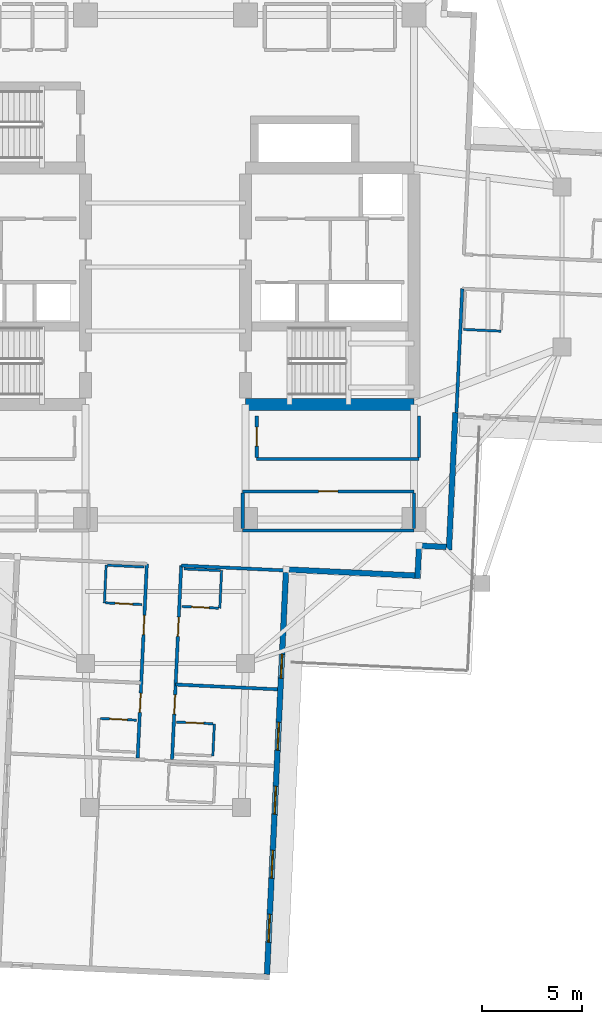
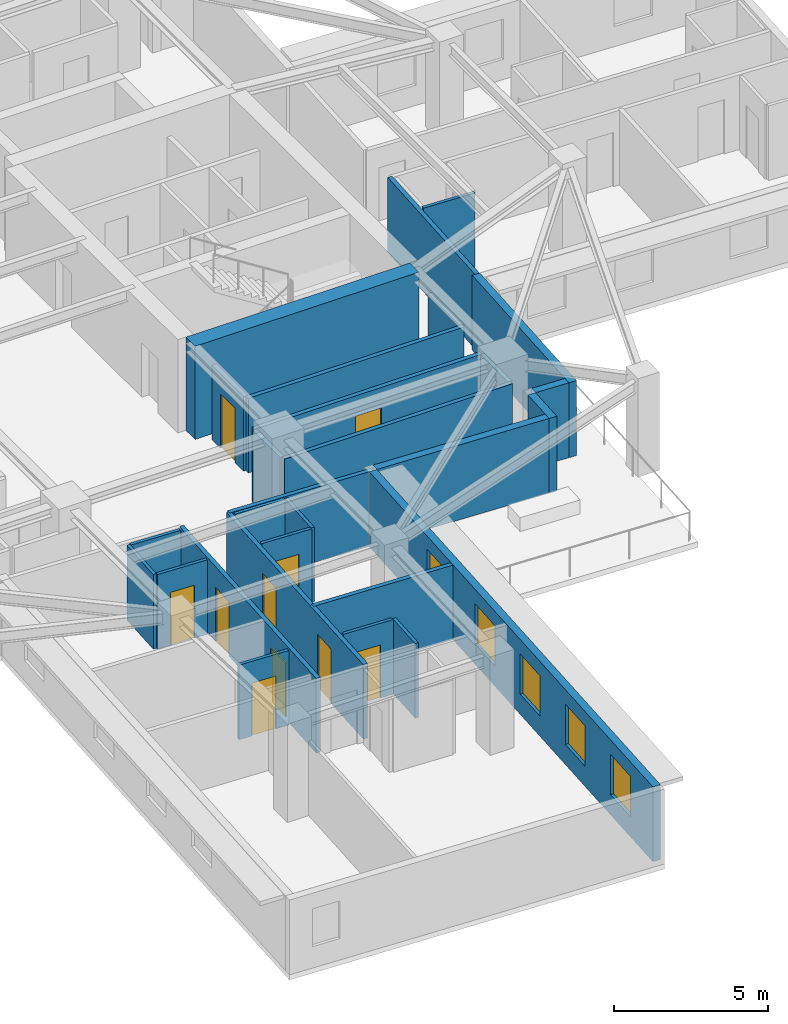
# One storey, part 4 of 14: 28 walls, 10 doors, 5 windows, 15 openings.
"""IFC4 building model written with IfcOpenShell, lengths in metres."""

from ifc_helpers import new_model, si_unit, direction, frame, frame_2d, origin, place, context, subcontext, project, spatial, rectangle, extrude, material, layer, layer_set, type_object, element, fill, save


model = new_model("IFC4")

# Units and contexts
model_context = context("Model", 3, precision=1e-05, world=origin(), true_north=direction((0.0, 1.0)))
body_context = subcontext(model_context, "Body", "Model", "MODEL_VIEW")
ifc_project = project(units=[si_unit("LENGTHUNIT", "METRE"), si_unit("AREAUNIT", "SQUARE_METRE"), si_unit("VOLUMEUNIT", "CUBIC_METRE"), si_unit("PLANEANGLEUNIT", "RADIAN"), si_unit("MASSUNIT", "GRAM", prefix="KILO")], contexts=[model_context])

# Site, building, storey
site_placement = place(None, origin())
site = spatial("IfcSite", under=ifc_project, at=site_placement, CompositionType="ELEMENT")
building_placement = place(site_placement, origin())
building = spatial("IfcBuilding", under=site, at=building_placement, Name="Qingluan Cross Belvedere", CompositionType="ELEMENT")
storey_placement = place(building_placement, frame((0.0, 0.0, 172.199951171875)))
storey = spatial("IfcBuildingStorey", under=building, at=storey_placement, Name="L43", CompositionType="ELEMENT", Elevation=172.199951171875)

# Walls
ifc_material_1 = material(Name="Concrete C60", Category="concrete")
ifc_layer_1 = layer(ifc_material_1, 0.60009765625, Name="CoreShearWall_600")
ifc_layer_set_1 = layer_set([ifc_layer_1], Name="Concrete C60")
wall_type_1 = type_object("IfcWallType", Name="CoreShearWall_600", PredefinedType="SHEAR", material=ifc_layer_set_1)
wall_1_placement = place(storey_placement, frame((4.0, -6.85009765625, 0.0), z_axis=(0.0, 0.0, 1.0), x_axis=(1.0, 0.0, 0.0)))
element("IfcWall", 1, at=wall_1_placement, inside=storey, type_object=wall_type_1, Name="Split core E shear wall L43-S", PredefinedType="SHEAR", context=body_context, shape_type="SweptSolid", body=[
    extrude(rectangle(XDim=8.39990234375, YDim=0.60009765625, at=frame_2d((4.199951171875, 0.0))), origin(), (0.0, 0.0, 1.0), 3.699951171875),
])
ifc_material_2 = material(Name="Gypsum plasterboard on steel stud acoustic partition", Category="steel")
ifc_layer_2 = layer(ifc_material_2, 0.159912109375, Name="CorridorPartition_160")
ifc_layer_set_2 = layer_set([ifc_layer_2], Name="Gypsum plasterboard on steel stud acoustic partition")
wall_type_2 = type_object("IfcWallType", Name="CorridorPartition_160", PredefinedType="PARTITIONING", material=ifc_layer_set_2)
wall_2_placement = place(storey_placement, frame((3.85009765625, -13.14990234375, 0.0), z_axis=(0.0, 0.0, 1.0), x_axis=(1.0, 0.0, 0.0)))
element("IfcWall", 2, at=wall_2_placement, inside=storey, type_object=wall_type_2, Name="Partition L43:q_se:S", PredefinedType="PARTITIONING", context=body_context, shape_type="SweptSolid", body=[
    extrude(rectangle(XDim=8.5498046875, YDim=0.159912109375, at=frame_2d((4.27490234375, 0.0))), origin(), (0.0, 0.0, 1.0), 2.9599609375),
])

# Wall, opening, door
wall_3_placement = place(storey_placement, frame((3.85009765625, -11.199951171875, 0.0), z_axis=(0.0, 0.0, 1.0), x_axis=(1.0, 0.0, 0.0)))
wall_3 = element("IfcWall", 3, at=wall_3_placement, inside=storey, type_object=wall_type_2, Name="Partition L43:q_se:N", PredefinedType="PARTITIONING", context=body_context, shape_type="SweptSolid", body=[
    extrude(rectangle(XDim=8.5498046875, YDim=0.159912109375, at=frame_2d((4.27490234375, 0.0))), origin(), (0.0, 0.0, 1.0), 2.9599609375),
])
opening_1_placement = place(wall_3_placement, frame((3.794921875, 0.0, 0.0)))
opening_1 = element("IfcOpeningElement", 4, at=opening_1_placement, cuts=wall_3, Name="Opening GD-10", PredefinedType="OPENING", context=body_context, shape_type="SweptSolid", body=[
    extrude(rectangle(XDim=0.9599609375, YDim=2.14990234375, at=frame_2d((0.47998046875, 1.074951171875))), frame((0.0, 0.08984375, 0.0), z_axis=(0.0, -1.0, 0.0), x_axis=(1.0, 0.0, 0.0)), (0.0, 0.0, 1.0), 0.179931640625),
])
ifc_material_3 = material(Name="Timber oak fire-rated acoustic guestroom door", Category="wood")
door_type_1 = type_object("IfcDoorType", Name="GuestEntryDoor_FD60", OperationType="NOTDEFINED", PredefinedType="DOOR", material=ifc_material_3)
door_1_placement = place(opening_1_placement, origin())
door_1 = element("IfcDoor", 5, at=door_1_placement, inside=storey, type_object=door_type_1, Name="Green tea pantry L43 door", OperationType="SINGLE_SWING_LEFT", OverallHeight=2.14990234375, OverallWidth=0.9599609375, PredefinedType="DOOR", context=body_context, shape_type="SweptSolid", body=[
    extrude(rectangle(XDim=0.9599609375, YDim=2.14990234375, at=frame_2d((0.47998046875, 1.074951171875))), frame((0.0, 0.02490234375, 0.0), z_axis=(0.0, -1.0, 0.0), x_axis=(1.0, 0.0, 0.0)), (0.0, 0.0, 1.0), 0.050048828125),
])
fill(opening_1, door_1)

# Walls
for number, where, z_axis, x_axis, name in (
    (6, (3.85009765625, -13.06494140625, 0.0), (0.0, 0.0, 1.0), (0.0, 1.0, 0.0), "Partition L43:q_se:W"),
    (7, (12.39990234375, -13.06494140625, 0.0), (0.0, 0.0, 1.0), (0.0, 1.0, 0.0), "Partition L43:q_se:E"),
):
    element("IfcWall", number, at=place(storey_placement, frame(where, z_axis=z_axis, x_axis=x_axis)), inside=storey, type_object=wall_type_2, Name=name, PredefinedType="PARTITIONING", context=body_context, shape_type="SweptSolid", body=[
        extrude(rectangle(XDim=1.780029296875, YDim=0.159912109375, at=frame_2d((0.89013671875, 0.0))), origin(), (0.0, 0.0, 1.0), 2.9599609375),
    ])
wall_4_placement = place(storey_placement, frame((4.550048828125, -9.580078125, 0.0), z_axis=(0.0, 0.0, 1.0), x_axis=(1.0, 0.0, 0.0)))
element("IfcWall", 8, at=wall_4_placement, inside=storey, type_object=wall_type_2, Name="Partition L43:rec_st4:S", PredefinedType="PARTITIONING", context=body_context, shape_type="SweptSolid", body=[
    extrude(rectangle(XDim=8.099853515625, YDim=0.159912109375, at=frame_2d((4.0498046875, 0.0))), origin(), (0.0, 0.0, 1.0), 2.9599609375),
])

# Wall, opening, door
wall_5_placement = place(storey_placement, frame((4.550048828125, -9.4951171875, 0.0), z_axis=(0.0, 0.0, 1.0), x_axis=(0.0, 1.0, 0.0)))
wall_5 = element("IfcWall", 9, at=wall_5_placement, inside=storey, type_object=wall_type_2, Name="Partition L43:rec_st4:W", PredefinedType="PARTITIONING", context=body_context, shape_type="SweptSolid", body=[
    extrude(rectangle(XDim=2.06005859375, YDim=0.159912109375, at=frame_2d((1.030029296875, 0.0))), origin(), (0.0, 0.0, 1.0), 2.9599609375),
])
opening_2_placement = place(wall_5_placement, frame((0.550048828125, 0.0, 0.0)))
opening_2 = element("IfcOpeningElement", 10, at=opening_2_placement, cuts=wall_5, Name="Opening GD-10", PredefinedType="OPENING", context=body_context, shape_type="SweptSolid", body=[
    extrude(rectangle(XDim=0.9599609375, YDim=2.14990234375, at=frame_2d((0.47998046875, 1.074951171875))), frame((0.0, 0.08984375, 0.0), z_axis=(0.0, -1.0, 0.0), x_axis=(1.0, 0.0, 0.0)), (0.0, 0.0, 1.0), 0.179931640625),
])
door_2_placement = place(opening_2_placement, origin())
door_2 = element("IfcDoor", 11, at=door_2_placement, inside=storey, type_object=door_type_1, Name="Southeast club library room L43 door", OperationType="SINGLE_SWING_RIGHT", OverallHeight=2.14990234375, OverallWidth=0.9599609375, PredefinedType="DOOR", context=body_context, shape_type="SweptSolid", body=[
    extrude(rectangle(XDim=0.9599609375, YDim=2.14990234375, at=frame_2d((0.47998046875, 1.074951171875))), frame((0.0, 0.02490234375, 0.0), z_axis=(0.0, -1.0, 0.0), x_axis=(1.0, 0.0, 0.0)), (0.0, 0.0, 1.0), 0.050048828125),
])
fill(opening_2, door_2)

# Walls
wall_6_placement = place(storey_placement, frame((12.64990234375, -9.4951171875, 0.0), z_axis=(0.0, 0.0, 1.0), x_axis=(0.0, 1.0, 0.0)))
element("IfcWall", 12, at=wall_6_placement, inside=storey, type_object=wall_type_2, Name="Partition L43:rec_st4:E", PredefinedType="PARTITIONING", context=body_context, shape_type="SweptSolid", body=[
    extrude(rectangle(XDim=2.06005859375, YDim=0.159912109375, at=frame_2d((1.030029296875, 0.0))), origin(), (0.0, 0.0, 1.0), 2.9599609375),
])
wall_7_placement = place(storey_placement, frame((14.815673828125, -1.0791015625, 0.0), z_axis=(0.0, 0.0, 1.0), x_axis=(-0.047115566875, -0.998889445013, 0.0)))
element("IfcWall", 13, at=wall_7_placement, inside=storey, type_object=wall_type_2, Name="Partition L43:E:s1", PredefinedType="PARTITIONING", context=body_context, shape_type="SweptSolid", body=[
    extrude(rectangle(XDim=6.192138671875, YDim=0.159912109375, at=frame_2d((3.09619140625, 0.0))), origin(), (0.0, 0.0, 1.0), 2.9599609375),
])

# Wall, openings, doors
wall_8_placement = place(storey_placement, frame((0.77880859375, -14.9033203125, 0.0), z_axis=(0.0, 0.0, 1.0), x_axis=(-0.047091598416, -0.998890575268, 0.0)))
wall_8 = element("IfcWall", 14, at=wall_8_placement, inside=storey, type_object=wall_type_2, Name="Partition L43:S:c0", PredefinedType="PARTITIONING", context=body_context, shape_type="SweptSolid", body=[
    extrude(rectangle(XDim=9.699951171875, YDim=0.159912109375, at=frame_2d((4.85009765625, 0.0))), origin(), (0.0, 0.0, 1.0), 2.9599609375),
])
opening_3_placement = place(wall_8_placement, frame((2.574951171875, 0.0, 0.0)))
opening_3 = element("IfcOpeningElement", 15, at=opening_3_placement, cuts=wall_8, Name="Opening GD-10", PredefinedType="OPENING", context=body_context, shape_type="SweptSolid", body=[
    extrude(rectangle(XDim=0.9599609375, YDim=2.14990234375, at=frame_2d((0.47998046875, 1.074951171875))), frame((0.0, 0.08984375, 0.0), z_axis=(0.0, -1.0, 0.0), x_axis=(1.0, 0.0, 0.0)), (0.0, 0.0, 1.0), 0.179931640625),
])
opening_4_placement = place(wall_8_placement, frame((6.467041015625, 0.0, 0.0)))
opening_4 = element("IfcOpeningElement", 16, at=opening_4_placement, cuts=wall_8, Name="Opening GD-10", PredefinedType="OPENING", context=body_context, shape_type="SweptSolid", body=[
    extrude(rectangle(XDim=0.9599609375, YDim=2.14990234375, at=frame_2d((0.47998046875, 1.074951171875))), frame((0.0, 0.08984375, 0.0), z_axis=(0.0, -1.0, 0.0), x_axis=(1.0, 0.0, 0.0)), (0.0, 0.0, 1.0), 0.179931640625),
])
door_3_placement = place(opening_3_placement, origin())
door_3 = element("IfcDoor", 17, at=door_3_placement, inside=storey, type_object=door_type_1, Name="Guest entry fire door 4315", OperationType="SINGLE_SWING_RIGHT", OverallHeight=2.14990234375, OverallWidth=0.9599609375, PredefinedType="DOOR", context=body_context, shape_type="SweptSolid", body=[
    extrude(rectangle(XDim=0.9599609375, YDim=2.14990234375, at=frame_2d((0.47998046875, 1.074951171875))), frame((0.0, 0.02490234375, 0.0), z_axis=(0.0, -1.0, 0.0), x_axis=(1.0, 0.0, 0.0)), (0.0, 0.0, 1.0), 0.050048828125),
])
fill(opening_3, door_3)
door_4_placement = place(opening_4_placement, origin())
door_4 = element("IfcDoor", 18, at=door_4_placement, inside=storey, type_object=door_type_1, Name="Guest entry fire door 4316", OperationType="SINGLE_SWING_RIGHT", OverallHeight=2.14990234375, OverallWidth=0.9599609375, PredefinedType="DOOR", context=body_context, shape_type="SweptSolid", body=[
    extrude(rectangle(XDim=0.9599609375, YDim=2.14990234375, at=frame_2d((0.47998046875, 1.074951171875))), frame((0.0, 0.02490234375, 0.0), z_axis=(0.0, -1.0, 0.0), x_axis=(1.0, 0.0, 0.0)), (0.0, 0.0, 1.0), 0.050048828125),
])
fill(opening_4, door_4)

# Walls
wall_9_placement = place(storey_placement, frame((0.77880859375, -14.9033203125, 0.0), z_axis=(0.0, 0.0, 1.0), x_axis=(0.998889957338, -0.047104703898, 0.0)))
element("IfcWall", 19, at=wall_9_placement, inside=storey, type_object=wall_type_2, Name="Partition L43:S:s0", PredefinedType="PARTITIONING", context=body_context, shape_type="SweptSolid", body=[
    extrude(rectangle(XDim=5.239990234375, YDim=0.159912109375, at=frame_2d((2.6201171875, 0.0))), origin(), (0.0, 0.0, 1.0), 2.9599609375),
])
wall_10_placement = place(storey_placement, frame((0.49853515625, -20.8466796875, 0.0), z_axis=(0.0, 0.0, 1.0), x_axis=(0.998891017342, -0.047082220362, 0.0)))
element("IfcWall", 20, at=wall_10_placement, inside=storey, type_object=wall_type_2, Name="Partition L43:S:d0_0", PredefinedType="PARTITIONING", context=body_context, shape_type="SweptSolid", body=[
    extrude(rectangle(XDim=5.092041015625, YDim=0.159912109375, at=frame_2d((2.5458984375, 0.0))), origin(), (0.0, 0.0, 1.0), 2.9599609375),
])

# Wall, openings, doors
wall_11_placement = place(storey_placement, frame((-0.939208984375, -14.822265625, 0.0), z_axis=(0.0, 0.0, 1.0), x_axis=(-0.047116711769, -0.99888939101, 0.0)))
wall_11 = element("IfcWall", 21, at=wall_11_placement, inside=storey, type_object=wall_type_2, Name="Partition L43:S:c1", PredefinedType="PARTITIONING", context=body_context, shape_type="SweptSolid", body=[
    extrude(rectangle(XDim=9.699951171875, YDim=0.159912109375, at=frame_2d((4.85009765625, 0.0))), origin(), (0.0, 0.0, 1.0), 2.9599609375),
])
opening_5_placement = place(wall_11_placement, frame((2.574951171875, 0.0, 0.0)))
opening_5 = element("IfcOpeningElement", 22, at=opening_5_placement, cuts=wall_11, Name="Opening GD-10", PredefinedType="OPENING", context=body_context, shape_type="SweptSolid", body=[
    extrude(rectangle(XDim=0.9599609375, YDim=2.14990234375, at=frame_2d((0.47998046875, 1.074951171875))), frame((0.0, 0.08984375, 0.0), z_axis=(0.0, -1.0, 0.0), x_axis=(1.0, 0.0, 0.0)), (0.0, 0.0, 1.0), 0.179931640625),
])
opening_6_placement = place(wall_11_placement, frame((6.467041015625, 0.0, 0.0)))
opening_6 = element("IfcOpeningElement", 23, at=opening_6_placement, cuts=wall_11, Name="Opening GD-10", PredefinedType="OPENING", context=body_context, shape_type="SweptSolid", body=[
    extrude(rectangle(XDim=0.9599609375, YDim=2.14990234375, at=frame_2d((0.47998046875, 1.074951171875))), frame((0.0, 0.08984375, 0.0), z_axis=(0.0, -1.0, 0.0), x_axis=(1.0, 0.0, 0.0)), (0.0, 0.0, 1.0), 0.179931640625),
])
door_5_placement = place(opening_5_placement, origin())
door_5 = element("IfcDoor", 24, at=door_5_placement, inside=storey, type_object=door_type_1, Name="Guest entry fire door 4317", OperationType="SINGLE_SWING_RIGHT", OverallHeight=2.14990234375, OverallWidth=0.9599609375, PredefinedType="DOOR", context=body_context, shape_type="SweptSolid", body=[
    extrude(rectangle(XDim=0.9599609375, YDim=2.14990234375, at=frame_2d((0.47998046875, 1.074951171875))), frame((0.0, 0.02490234375, 0.0), z_axis=(0.0, -1.0, 0.0), x_axis=(1.0, 0.0, 0.0)), (0.0, 0.0, 1.0), 0.050048828125),
])
fill(opening_5, door_5)
door_6_placement = place(opening_6_placement, origin())
door_6 = element("IfcDoor", 25, at=door_6_placement, inside=storey, type_object=door_type_1, Name="Guest entry fire door 4318", OperationType="SINGLE_SWING_RIGHT", OverallHeight=2.14990234375, OverallWidth=0.9599609375, PredefinedType="DOOR", context=body_context, shape_type="SweptSolid", body=[
    extrude(rectangle(XDim=0.9599609375, YDim=2.14990234375, at=frame_2d((0.47998046875, 1.074951171875))), frame((0.0, 0.02490234375, 0.0), z_axis=(0.0, -1.0, 0.0), x_axis=(1.0, 0.0, 0.0)), (0.0, 0.0, 1.0), 0.050048828125),
])
fill(opening_6, door_6)

# Wall
ifc_material_4 = material(Name="Moisture-resistant gypsum board lining")
ifc_layer_3 = layer(ifc_material_4, 0.1201171875, Name="EnsuiteWetPartition_120")
ifc_layer_set_3 = layer_set([ifc_layer_3], Name="Moisture-resistant gypsum board lining")
wall_type_3 = type_object("IfcWallType", Name="EnsuiteWetPartition_120", PredefinedType="PARTITIONING", material=ifc_layer_set_3)
wall_12_placement = place(storey_placement, frame((14.8798828125, -3.109375, 0.0), z_axis=(0.0, 0.0, 1.0), x_axis=(0.998888607882, -0.047133311408, 0.0)))
element("IfcWall", 26, at=wall_12_placement, inside=storey, type_object=wall_type_3, Name="Partition L43:E:bc1_0", PredefinedType="PARTITIONING", context=body_context, shape_type="SweptSolid", body=[
    extrude(rectangle(XDim=1.88037109375, YDim=0.1201171875, at=frame_2d((0.940185546875, 0.0))), origin(), (0.0, 0.0, 1.0), 2.9599609375),
])

# Wall, opening, door
wall_13_placement = place(storey_placement, frame((0.822509765625, -16.947509765625, 0.0), z_axis=(0.0, 0.0, 1.0), x_axis=(0.998891083954, -0.047080807099, 0.0)))
wall_13 = element("IfcWall", 27, at=wall_13_placement, inside=storey, type_object=wall_type_3, Name="Partition L43:S:bs0_0", PredefinedType="PARTITIONING", context=body_context, shape_type="SweptSolid", body=[
    extrude(rectangle(XDim=1.820068359375, YDim=0.1201171875, at=frame_2d((0.91015625, 0.0))), origin(), (0.0, 0.0, 1.0), 2.9599609375),
])
opening_7_placement = place(wall_13_placement, frame((0.469970703125, 0.0, 0.0)))
opening_7 = element("IfcOpeningElement", 28, at=opening_7_placement, cuts=wall_13, Name="Opening BD-09", PredefinedType="OPENING", context=body_context, shape_type="SweptSolid", body=[
    extrude(rectangle(XDim=0.8798828125, YDim=2.10009765625, at=frame_2d((0.43994140625, 1.050048828125))), frame((0.0, 0.070068359375, 0.0), z_axis=(0.0, -1.0, 0.0), x_axis=(1.0, 0.0, 0.0)), (0.0, 0.0, 1.0), 0.14013671875),
])
ifc_material_5 = material(Name="Moisture-sealed timber en-suite door", Category="wood")
door_type_2 = type_object("IfcDoorType", Name="BathroomDoor_880", OperationType="NOTDEFINED", PredefinedType="DOOR", material=ifc_material_5)
door_7_placement = place(opening_7_placement, origin())
door_7 = element("IfcDoor", 29, at=door_7_placement, inside=storey, type_object=door_type_2, Name="Bathroom door 4315", OperationType="SINGLE_SWING_LEFT", OverallHeight=2.10009765625, OverallWidth=0.8798828125, PredefinedType="DOOR", context=body_context, shape_type="SweptSolid", body=[
    extrude(rectangle(XDim=0.8798828125, YDim=2.10009765625, at=frame_2d((0.43994140625, 1.050048828125))), frame((0.0, 0.02490234375, 0.0), z_axis=(0.0, -1.0, 0.0), x_axis=(1.0, 0.0, 0.0)), (0.0, 0.0, 1.0), 0.050048828125),
])
fill(opening_7, door_7)

# Walls
wall_14_placement = place(storey_placement, frame((0.9111328125, -15.069580078125, 0.0), z_axis=(0.0, 0.0, 1.0), x_axis=(0.998884467853, -0.047220968666, 0.0)))
element("IfcWall", 30, at=wall_14_placement, inside=storey, type_object=wall_type_3, Name="Partition L43:S:bw0_0", PredefinedType="PARTITIONING", context=body_context, shape_type="SweptSolid", body=[
    extrude(rectangle(XDim=1.81982421875, YDim=0.1201171875, at=frame_2d((0.909912109375, 0.0))), origin(), (0.0, 0.0, 1.0), 2.9599609375),
])
wall_15_placement = place(storey_placement, frame((2.7939453125, -15.158447265625, 0.0), z_axis=(0.0, 0.0, 1.0), x_axis=(-0.04700985207, -0.998894425757, 0.0)))
element("IfcWall", 31, at=wall_15_placement, inside=storey, type_object=wall_type_3, Name="Partition L43:S:bn0_0", PredefinedType="PARTITIONING", context=body_context, shape_type="SweptSolid", body=[
    extrude(rectangle(XDim=1.880126953125, YDim=0.1201171875, at=frame_2d((0.93994140625, 0.0))), origin(), (0.0, 0.0, 1.0), 2.9599609375),
])

# Wall, opening, door
wall_16_placement = place(storey_placement, frame((0.55029296875, -22.72119140625, 0.0), z_axis=(0.0, 0.0, 1.0), x_axis=(0.998891083954, -0.047080807099, 0.0)))
wall_16 = element("IfcWall", 32, at=wall_16_placement, inside=storey, type_object=wall_type_3, Name="Partition L43:S:bs0_1", PredefinedType="PARTITIONING", context=body_context, shape_type="SweptSolid", body=[
    extrude(rectangle(XDim=1.820068359375, YDim=0.1201171875, at=frame_2d((0.91015625, 0.0))), origin(), (0.0, 0.0, 1.0), 2.9599609375),
])
opening_8_placement = place(wall_16_placement, frame((0.469970703125, 0.0, 0.0)))
opening_8 = element("IfcOpeningElement", 33, at=opening_8_placement, cuts=wall_16, Name="Opening BD-09", PredefinedType="OPENING", context=body_context, shape_type="SweptSolid", body=[
    extrude(rectangle(XDim=0.8798828125, YDim=2.10009765625, at=frame_2d((0.43994140625, 1.050048828125))), frame((0.0, 0.070068359375, 0.0), z_axis=(0.0, -1.0, 0.0), x_axis=(1.0, 0.0, 0.0)), (0.0, 0.0, 1.0), 0.14013671875),
])
door_8_placement = place(opening_8_placement, origin())
door_8 = element("IfcDoor", 34, at=door_8_placement, inside=storey, type_object=door_type_2, Name="Bathroom door 4316", OperationType="SINGLE_SWING_LEFT", OverallHeight=2.10009765625, OverallWidth=0.8798828125, PredefinedType="DOOR", context=body_context, shape_type="SweptSolid", body=[
    extrude(rectangle(XDim=0.8798828125, YDim=2.10009765625, at=frame_2d((0.43994140625, 1.050048828125))), frame((0.0, 0.02490234375, 0.0), z_axis=(0.0, -1.0, 0.0), x_axis=(1.0, 0.0, 0.0)), (0.0, 0.0, 1.0), 0.050048828125),
])
fill(opening_8, door_8)

# Wall
wall_17_placement = place(storey_placement, frame((2.43310546875, -22.809814453125, 0.0), z_axis=(0.0, 0.0, 1.0), x_axis=(-0.046992475174, -0.998895243395, 0.0)))
element("IfcWall", 35, at=wall_17_placement, inside=storey, type_object=wall_type_3, Name="Partition L43:S:bn0_1", PredefinedType="PARTITIONING", context=body_context, shape_type="SweptSolid", body=[
    extrude(rectangle(XDim=1.60009765625, YDim=0.1201171875, at=frame_2d((0.800048828125, 0.0))), origin(), (0.0, 0.0, 1.0), 2.9599609375),
])

# Wall, opening, door
wall_18_placement = place(storey_placement, frame((-2.9931640625, -16.767578125, 0.0), z_axis=(0.0, 0.0, 1.0), x_axis=(0.998890786574, -0.047087116047, 0.0)))
wall_18 = element("IfcWall", 36, at=wall_18_placement, inside=storey, type_object=wall_type_3, Name="Partition L43:S:bs1_0", PredefinedType="PARTITIONING", context=body_context, shape_type="SweptSolid", body=[
    extrude(rectangle(XDim=1.81982421875, YDim=0.1201171875, at=frame_2d((0.909912109375, 0.0))), origin(), (0.0, 0.0, 1.0), 2.9599609375),
])
opening_9_placement = place(wall_18_placement, frame((0.469970703125, 0.0, 0.0)))
opening_9 = element("IfcOpeningElement", 37, at=opening_9_placement, cuts=wall_18, Name="Opening BD-09", PredefinedType="OPENING", context=body_context, shape_type="SweptSolid", body=[
    extrude(rectangle(XDim=0.8798828125, YDim=2.10009765625, at=frame_2d((0.43994140625, 1.050048828125))), frame((0.0, 0.070068359375, 0.0), z_axis=(0.0, -1.0, 0.0), x_axis=(1.0, 0.0, 0.0)), (0.0, 0.0, 1.0), 0.14013671875),
])
door_9_placement = place(opening_9_placement, origin())
door_9 = element("IfcDoor", 38, at=door_9_placement, inside=storey, type_object=door_type_2, Name="Bathroom door 4317", OperationType="SINGLE_SWING_LEFT", OverallHeight=2.10009765625, OverallWidth=0.8798828125, PredefinedType="DOOR", context=body_context, shape_type="SweptSolid", body=[
    extrude(rectangle(XDim=0.8798828125, YDim=2.10009765625, at=frame_2d((0.43994140625, 1.050048828125))), frame((0.0, 0.02490234375, 0.0), z_axis=(0.0, -1.0, 0.0), x_axis=(1.0, 0.0, 0.0)), (0.0, 0.0, 1.0), 0.050048828125),
])
fill(opening_9, door_9)

# Walls
wall_19_placement = place(storey_placement, frame((-2.904541015625, -14.8896484375, 0.0), z_axis=(0.0, 0.0, 1.0), x_axis=(0.998890786574, -0.047087116047, 0.0)))
element("IfcWall", 39, at=wall_19_placement, inside=storey, type_object=wall_type_3, Name="Partition L43:S:bw1_0", PredefinedType="PARTITIONING", context=body_context, shape_type="SweptSolid", body=[
    extrude(rectangle(XDim=1.81982421875, YDim=0.1201171875, at=frame_2d((0.909912109375, 0.0))), origin(), (0.0, 0.0, 1.0), 2.9599609375),
])
wall_20_placement = place(storey_placement, frame((-2.969482421875, -14.88671875, 0.0), z_axis=(0.0, 0.0, 1.0), x_axis=(-0.047139425368, -0.998888319371, 0.0)))
element("IfcWall", 40, at=wall_20_placement, inside=storey, type_object=wall_type_3, Name="Partition L43:S:bc1_0", PredefinedType="PARTITIONING", context=body_context, shape_type="SweptSolid", body=[
    extrude(rectangle(XDim=1.880126953125, YDim=0.1201171875, at=frame_2d((0.93994140625, 0.0))), origin(), (0.0, 0.0, 1.0), 2.9599609375),
])

# Wall, opening, door
wall_21_placement = place(storey_placement, frame((-3.265380859375, -22.541259765625, 0.0), z_axis=(0.0, 0.0, 1.0), x_axis=(0.998890786574, -0.047087116047, 0.0)))
wall_21 = element("IfcWall", 41, at=wall_21_placement, inside=storey, type_object=wall_type_3, Name="Partition L43:S:bs1_1", PredefinedType="PARTITIONING", context=body_context, shape_type="SweptSolid", body=[
    extrude(rectangle(XDim=1.81982421875, YDim=0.1201171875, at=frame_2d((0.909912109375, 0.0))), origin(), (0.0, 0.0, 1.0), 2.9599609375),
])
opening_10_placement = place(wall_21_placement, frame((0.469970703125, 0.0, 0.0)))
opening_10 = element("IfcOpeningElement", 42, at=opening_10_placement, cuts=wall_21, Name="Opening BD-09", PredefinedType="OPENING", context=body_context, shape_type="SweptSolid", body=[
    extrude(rectangle(XDim=0.8798828125, YDim=2.10009765625, at=frame_2d((0.43994140625, 1.050048828125))), frame((0.0, 0.070068359375, 0.0), z_axis=(0.0, -1.0, 0.0), x_axis=(1.0, 0.0, 0.0)), (0.0, 0.0, 1.0), 0.14013671875),
])
door_10_placement = place(opening_10_placement, origin())
door_10 = element("IfcDoor", 43, at=door_10_placement, inside=storey, type_object=door_type_2, Name="Bathroom door 4318", OperationType="SINGLE_SWING_LEFT", OverallHeight=2.10009765625, OverallWidth=0.8798828125, PredefinedType="DOOR", context=body_context, shape_type="SweptSolid", body=[
    extrude(rectangle(XDim=0.8798828125, YDim=2.10009765625, at=frame_2d((0.43994140625, 1.050048828125))), frame((0.0, 0.02490234375, 0.0), z_axis=(0.0, -1.0, 0.0), x_axis=(1.0, 0.0, 0.0)), (0.0, 0.0, 1.0), 0.050048828125),
])
fill(opening_10, door_10)

# Wall, openings, windows
ifc_material_6 = material(Name="Precast concrete C45", Category="concrete")
ifc_layer_4 = layer(ifc_material_6, 0.280029296875, Name="PrecastFacadeWall_280")
ifc_layer_set_4 = layer_set([ifc_layer_4], Name="Precast concrete C45")
wall_type_4 = type_object("IfcWallType", Name="PrecastFacadeWall_280", PredefinedType="STANDARD", material=ifc_layer_set_4)
wall_22_placement = place(storey_placement, frame((5.06201171875, -35.317626953125, 0.0), z_axis=(0.0, 0.0, 1.0), x_axis=(0.047103473814, 0.998890015344, 0.0)))
wall_22 = element("IfcWall", 44, at=wall_22_placement, inside=storey, type_object=wall_type_4, Name="Facade wall L43-SB", PredefinedType="STANDARD", context=body_context, shape_type="SweptSolid", body=[
    extrude(rectangle(XDim=20.099853515625, YDim=0.280029296875, at=frame_2d((10.0498046875, 0.0))), origin(), (0.0, 0.0, 1.0), 2.969970703125),
])
opening_11_placement = place(wall_22_placement, frame((1.60009765625, 0.0, 0.800048828125)))
opening_11 = element("IfcOpeningElement", 45, at=opening_11_placement, cuts=wall_22, Name="Opening W-01", PredefinedType="OPENING", context=body_context, shape_type="SweptSolid", body=[
    extrude(rectangle(XDim=1.39990234375, YDim=1.60009765625, at=frame_2d((0.699951171875, 0.800048828125))), frame((0.0, 0.14990234375, 0.0), z_axis=(0.0, -1.0, 0.0), x_axis=(1.0, 0.0, 0.0)), (0.0, 0.0, 1.0), 0.300048828125),
])
opening_12_placement = place(wall_22_placement, frame((4.800048828125, 0.0, 0.800048828125)))
opening_12 = element("IfcOpeningElement", 46, at=opening_12_placement, cuts=wall_22, Name="Opening W-01", PredefinedType="OPENING", context=body_context, shape_type="SweptSolid", body=[
    extrude(rectangle(XDim=1.39990234375, YDim=1.60009765625, at=frame_2d((0.699951171875, 0.800048828125))), frame((0.0, 0.14990234375, 0.0), z_axis=(0.0, -1.0, 0.0), x_axis=(1.0, 0.0, 0.0)), (0.0, 0.0, 1.0), 0.300048828125),
])
opening_13_placement = place(wall_22_placement, frame((8.0, 0.0, 0.800048828125)))
opening_13 = element("IfcOpeningElement", 47, at=opening_13_placement, cuts=wall_22, Name="Opening W-01", PredefinedType="OPENING", context=body_context, shape_type="SweptSolid", body=[
    extrude(rectangle(XDim=1.39990234375, YDim=1.60009765625, at=frame_2d((0.699951171875, 0.800048828125))), frame((0.0, 0.14990234375, 0.0), z_axis=(0.0, -1.0, 0.0), x_axis=(1.0, 0.0, 0.0)), (0.0, 0.0, 1.0), 0.300048828125),
])
opening_14_placement = place(wall_22_placement, frame((11.199951171875, 0.0, 0.800048828125)))
opening_14 = element("IfcOpeningElement", 48, at=opening_14_placement, cuts=wall_22, Name="Opening W-01", PredefinedType="OPENING", context=body_context, shape_type="SweptSolid", body=[
    extrude(rectangle(XDim=1.39990234375, YDim=1.60009765625, at=frame_2d((0.699951171875, 0.800048828125))), frame((0.0, 0.14990234375, 0.0), z_axis=(0.0, -1.0, 0.0), x_axis=(1.0, 0.0, 0.0)), (0.0, 0.0, 1.0), 0.300048828125),
])
opening_15_placement = place(wall_22_placement, frame((14.799072265625, 0.0, 0.85009765625)))
opening_15 = element("IfcOpeningElement", 49, at=opening_15_placement, cuts=wall_22, Name="Opening W-02", PredefinedType="OPENING", context=body_context, shape_type="SweptSolid", body=[
    extrude(rectangle(XDim=1.199951171875, YDim=1.60009765625, at=frame_2d((0.60009765625, 0.800048828125))), frame((0.0, 0.14990234375, 0.0), z_axis=(0.0, -1.0, 0.0), x_axis=(1.0, 0.0, 0.0)), (0.0, 0.0, 1.0), 0.300048828125),
])
ifc_material_7 = material(Name="Thermally broken triple Low-E glass in aluminium frame", Category="aluminium")
window_type_1 = type_object("IfcWindowType", Name="TriRibbonWin_1200x1600", PartitioningType="SINGLE_PANEL", PredefinedType="WINDOW", material=ifc_material_7)
window_1_placement = place(opening_15_placement, origin())
window_1 = element("IfcWindow", 50, at=window_1_placement, inside=storey, type_object=window_type_1, Name="Corner hotel suite 4315 daylight window", OverallHeight=1.60009765625, OverallWidth=1.199951171875, PartitioningType="SINGLE_PANEL", PredefinedType="WINDOW", context=body_context, shape_type="SweptSolid", body=[
    extrude(rectangle(XDim=1.199951171875, YDim=1.60009765625, at=frame_2d((0.60009765625, 0.800048828125))), frame((0.0, 0.030029296875, 0.0), z_axis=(0.0, -1.0, 0.0), x_axis=(1.0, 0.0, 0.0)), (0.0, 0.0, 1.0), 0.06005859375),
])
fill(opening_15, window_1)
ifc_material_8 = material(Name="Thermally broken triple Low-E glass in aluminium frame", Category="aluminium")
window_type_2 = type_object("IfcWindowType", Name="TriRibbonWin_1400x1600", PartitioningType="SINGLE_PANEL", PredefinedType="WINDOW", material=ifc_material_8)
window_2_placement = place(opening_11_placement, origin())
window_2 = element("IfcWindow", 51, at=window_2_placement, inside=storey, type_object=window_type_2, Name="Ribbon window L43-SB-1", OverallHeight=1.60009765625, OverallWidth=1.39990234375, PartitioningType="SINGLE_PANEL", PredefinedType="WINDOW", context=body_context, shape_type="SweptSolid", body=[
    extrude(rectangle(XDim=1.39990234375, YDim=1.60009765625, at=frame_2d((0.699951171875, 0.800048828125))), frame((0.0, 0.030029296875, 0.0), z_axis=(0.0, -1.0, 0.0), x_axis=(1.0, 0.0, 0.0)), (0.0, 0.0, 1.0), 0.06005859375),
])
fill(opening_11, window_2)
window_3_placement = place(opening_12_placement, origin())
window_3 = element("IfcWindow", 52, at=window_3_placement, inside=storey, type_object=window_type_2, Name="Ribbon window L43-SB-2", OverallHeight=1.60009765625, OverallWidth=1.39990234375, PartitioningType="SINGLE_PANEL", PredefinedType="WINDOW", context=body_context, shape_type="SweptSolid", body=[
    extrude(rectangle(XDim=1.39990234375, YDim=1.60009765625, at=frame_2d((0.699951171875, 0.800048828125))), frame((0.0, 0.030029296875, 0.0), z_axis=(0.0, -1.0, 0.0), x_axis=(1.0, 0.0, 0.0)), (0.0, 0.0, 1.0), 0.06005859375),
])
fill(opening_12, window_3)
window_4_placement = place(opening_13_placement, origin())
window_4 = element("IfcWindow", 53, at=window_4_placement, inside=storey, type_object=window_type_2, Name="Ribbon window L43-SB-3", OverallHeight=1.60009765625, OverallWidth=1.39990234375, PartitioningType="SINGLE_PANEL", PredefinedType="WINDOW", context=body_context, shape_type="SweptSolid", body=[
    extrude(rectangle(XDim=1.39990234375, YDim=1.60009765625, at=frame_2d((0.699951171875, 0.800048828125))), frame((0.0, 0.030029296875, 0.0), z_axis=(0.0, -1.0, 0.0), x_axis=(1.0, 0.0, 0.0)), (0.0, 0.0, 1.0), 0.06005859375),
])
fill(opening_13, window_4)
window_5_placement = place(opening_14_placement, origin())
window_5 = element("IfcWindow", 54, at=window_5_placement, inside=storey, type_object=window_type_2, Name="Ribbon window L43-SB-4", OverallHeight=1.60009765625, OverallWidth=1.39990234375, PartitioningType="SINGLE_PANEL", PredefinedType="WINDOW", context=body_context, shape_type="SweptSolid", body=[
    extrude(rectangle(XDim=1.39990234375, YDim=1.60009765625, at=frame_2d((0.699951171875, 0.800048828125))), frame((0.0, 0.030029296875, 0.0), z_axis=(0.0, -1.0, 0.0), x_axis=(1.0, 0.0, 0.0)), (0.0, 0.0, 1.0), 0.06005859375),
])
fill(opening_14, window_5)

# Walls
wall_23_placement = place(storey_placement, frame((14.4736328125, -7.27001953125, 0.0), z_axis=(0.0, 0.0, 1.0), x_axis=(-0.04712043756, -0.998889215261, 0.0)))
element("IfcWall", 55, at=wall_23_placement, inside=storey, type_object=wall_type_4, Name="Corner wall L43-SE1", PredefinedType="STANDARD", context=body_context, shape_type="SweptSolid", body=[
    extrude(rectangle(XDim=6.85986328125, YDim=0.280029296875, at=frame_2d((3.429931640625, 0.0))), origin(), (0.0, 0.0, 1.0), 2.969970703125),
])
wall_24_placement = place(storey_placement, frame((14.01708984375, -13.975830078125, 0.0), z_axis=(0.0, 0.0, 1.0), x_axis=(-0.998883930236, 0.047232339719, 0.0)))
element("IfcWall", 56, at=wall_24_placement, inside=storey, type_object=wall_type_4, Name="Corner wall L43-SE2", PredefinedType="STANDARD", context=body_context, shape_type="SweptSolid", body=[
    extrude(rectangle(XDim=1.219970703125, YDim=0.280029296875, at=frame_2d((0.60986328125, 0.0))), origin(), (0.0, 0.0, 1.0), 2.969970703125),
])
wall_25_placement = place(storey_placement, frame((12.652099609375, -14.051513671875, 0.0), z_axis=(0.0, 0.0, 1.0), x_axis=(-0.047039284441, -0.99889304018, 0.0)))
element("IfcWall", 57, at=wall_25_placement, inside=storey, type_object=wall_type_4, Name="Corner wall L43-SE3", PredefinedType="STANDARD", context=body_context, shape_type="SweptSolid", body=[
    extrude(rectangle(XDim=1.5, YDim=0.280029296875, at=frame_2d((0.75, 0.0))), origin(), (0.0, 0.0, 1.0), 2.969970703125),
])
wall_26_placement = place(storey_placement, frame((12.4482421875, -15.403564453125, 0.0), z_axis=(0.0, 0.0, 1.0), x_axis=(-0.998889082162, 0.047123258997, 0.0)))
element("IfcWall", 58, at=wall_26_placement, inside=storey, type_object=wall_type_4, Name="Corner wall L43-SE4", PredefinedType="STANDARD", context=body_context, shape_type="SweptSolid", body=[
    extrude(rectangle(XDim=6.300048828125, YDim=0.280029296875, at=frame_2d((3.14990234375, 0.0))), origin(), (0.0, 0.0, 1.0), 2.969970703125),
])

save(model, "model.ifc")
